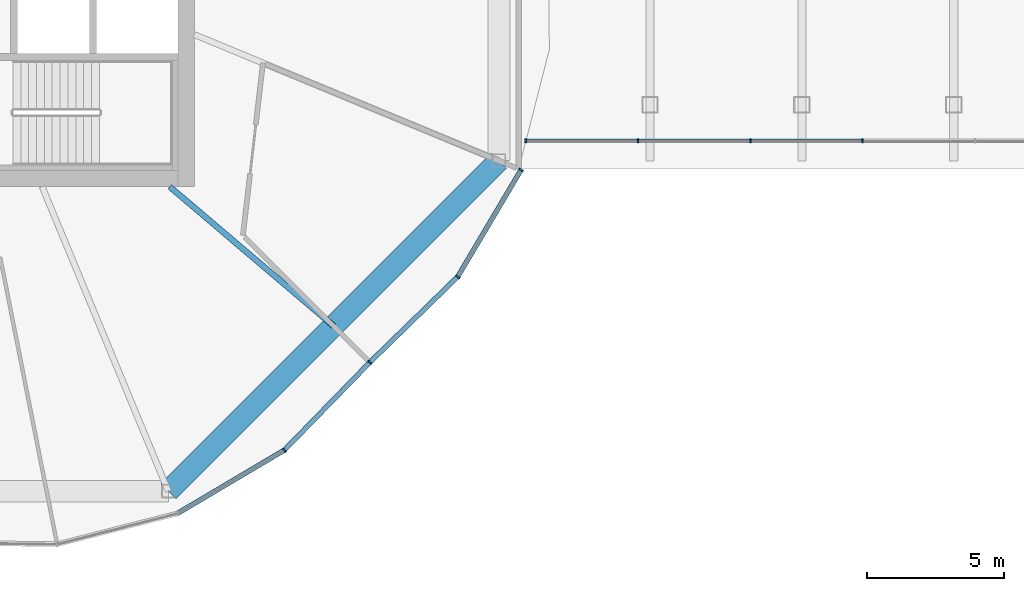
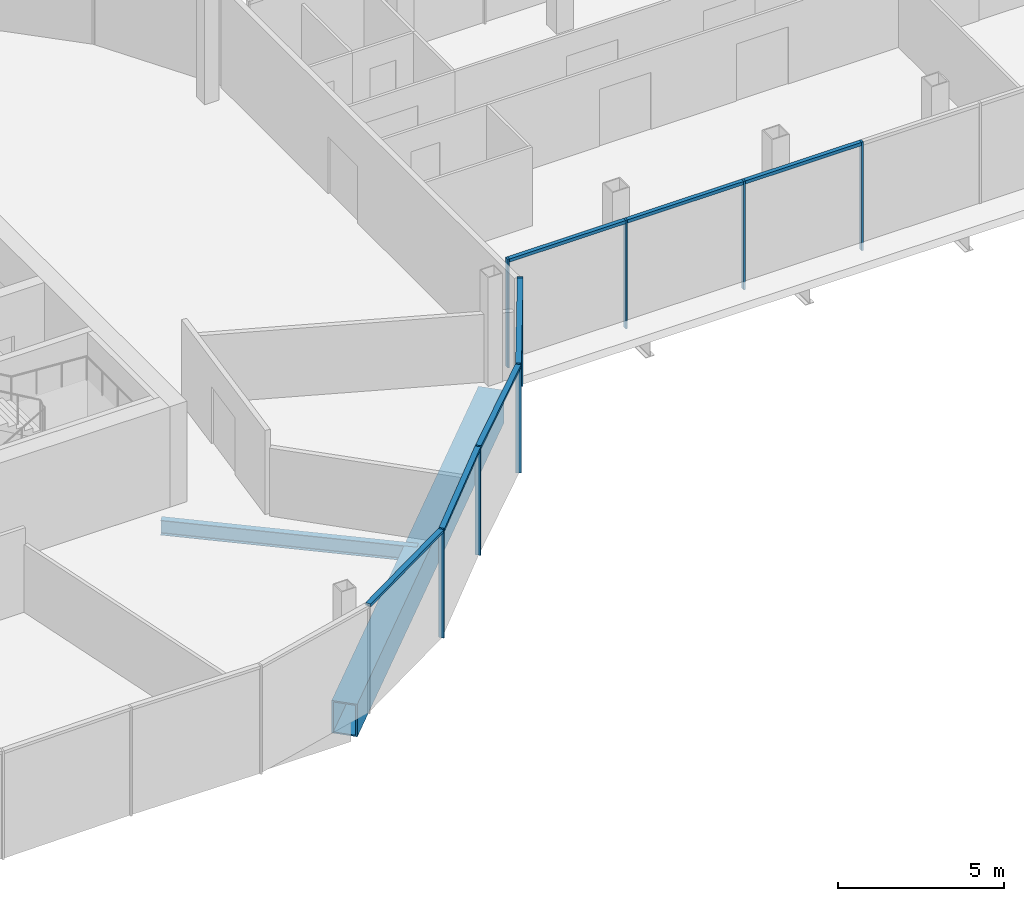
# One storey, part 5 of 25: 15 members, 2 beams, 3 elements without a shape of their own.
"""IFC4 building model written with IfcOpenShell, lengths in metres."""

from ifc_helpers import new_model, si_unit, direction, frame, origin, origin_2d, place, context, subcontext, project, spatial, rectangle, hollow_rectangle, i_section, extrude, material, material_profile, profile_set, type_object, element, aggregate, save


model = new_model("IFC4")

# Units and contexts
model_context = context("Model", 3, precision=1e-05, world=origin(), true_north=direction((0.0, 1.0)))
body_context = subcontext(model_context, "Body", "Model", "MODEL_VIEW")
ifc_project = project(units=[si_unit("LENGTHUNIT", "METRE"), si_unit("AREAUNIT", "SQUARE_METRE"), si_unit("VOLUMEUNIT", "CUBIC_METRE"), si_unit("PLANEANGLEUNIT", "RADIAN"), si_unit("MASSUNIT", "GRAM", prefix="KILO")], contexts=[model_context])

# Site, building, storey
site_placement = place(None, origin())
site = spatial("IfcSite", under=ifc_project, at=site_placement, CompositionType="ELEMENT")
building_placement = place(site_placement, origin())
building = spatial("IfcBuilding", under=site, at=building_placement, Name="Ogive Gate Towers", CompositionType="ELEMENT")
storey_placement = place(building_placement, frame((0.0, 0.0, 152.800048828125)))
storey = spatial("IfcBuildingStorey", under=building, at=storey_placement, Name="L36", CompositionType="ELEMENT", Elevation=152.800048828125)

# Beam
ifc_material_1 = material(Name="Steel SM460", Category="steel")
ifc_material_profile_1 = material_profile(ifc_material_1, hollow_rectangle(XDim=0.800048828125, YDim=1.199951171875, WallThickness=0.050048828125, at=origin_2d()), Name="BX 1200x800x50")
ifc_profile_set_1 = profile_set([ifc_material_profile_1], Name="Steel SM460")
beam_type_1 = type_object("IfcBeamType", Name="Edge girder BX 1200x800x50", PredefinedType="BEAM", material=ifc_profile_set_1)
beam_1_placement = place(storey_placement, frame((-27.450927734375, -20.639404296875, -0.900146484375), z_axis=(0.707106781187, 0.707106781187, 0.0), x_axis=(-0.707106781187, 0.707106781187, 0.0)))
element("IfcBeam", 1, at=beam_1_placement, inside=storey, type_object=beam_type_1, Name="T1/L36/SBM019", PredefinedType="BEAM", context=body_context, shape_type="SweptSolid", body=[
    extrude(hollow_rectangle(XDim=0.800048828125, YDim=1.199951171875, WallThickness=0.050048828125, at=origin_2d()), origin(), (0.0, 0.0, 1.0), 17.098388671875),
])

# Curtain wall, members
ifc_material_2 = material(Name="Pale metal aluminium", Category="aluminium")
curtain_wall_type_1 = type_object("IfcCurtainWallType", Name="Gate block facade", PredefinedType="NOTDEFINED", material=ifc_material_2)
curtain_wall_1_placement = place(storey_placement, origin())
curtain_wall_1 = element("IfcCurtainWall", 2, at=curtain_wall_1_placement, inside=storey, type_object=curtain_wall_type_1, Name="CW3 BR ECW01", PredefinedType="NOTDEFINED")
ifc_material_profile_2 = material_profile(ifc_material_2, rectangle(XDim=0.139892578125, YDim=0.06005859375, at=origin_2d()), Name="60 x 140 aluminium box")
ifc_profile_set_2 = profile_set([ifc_material_profile_2], Name="Pale metal aluminium")
member_type_1 = type_object("IfcMemberType", Name="Gate block facade mullion 60 x 140", PredefinedType="MULLION", material=ifc_profile_set_2)
member_1_placement = place(storey_placement, frame((-14.374755859375, -7.821533203125, -0.300048828125), z_axis=(0.0, 0.0, 1.0), x_axis=(0.0, -1.0, 0.0)))
member_1 = element("IfcMember", 3, at=member_1_placement, type_object=member_type_1, Name="CW3 mullion", PredefinedType="MULLION", context=body_context, shape_type="SweptSolid", body=[
    extrude(rectangle(XDim=0.139892578125, YDim=0.06005859375, at=origin_2d()), origin(), (0.0, 0.0, 1.0), 4.0),
])
member_2_placement = place(storey_placement, frame((-10.267578125, -7.821533203125, -0.300048828125), z_axis=(0.0, 0.0, 1.0), x_axis=(0.0, -1.0, 0.0)))
member_2 = element("IfcMember", 4, at=member_2_placement, type_object=member_type_1, Name="CW3 mullion", PredefinedType="MULLION", context=body_context, shape_type="SweptSolid", body=[
    extrude(rectangle(XDim=0.139892578125, YDim=0.06005859375, at=origin_2d()), origin(), (0.0, 0.0, 1.0), 4.0),
])
member_3_placement = place(storey_placement, frame((-6.16064453125, -7.821533203125, -0.300048828125), z_axis=(0.0, 0.0, 1.0), x_axis=(0.0, -1.0, 0.0)))
member_3 = element("IfcMember", 5, at=member_3_placement, type_object=member_type_1, Name="CW3 mullion", PredefinedType="MULLION", context=body_context, shape_type="SweptSolid", body=[
    extrude(rectangle(XDim=0.139892578125, YDim=0.06005859375, at=origin_2d()), origin(), (0.0, 0.0, 1.0), 4.0),
])
member_4_placement = place(storey_placement, frame((-2.053466796875, -7.821533203125, -0.300048828125), z_axis=(0.0, 0.0, 1.0), x_axis=(0.0, -1.0, 0.0)))
member_4 = element("IfcMember", 6, at=member_4_placement, type_object=member_type_1, Name="CW3 mullion", PredefinedType="MULLION", context=body_context, shape_type="SweptSolid", body=[
    extrude(rectangle(XDim=0.139892578125, YDim=0.06005859375, at=origin_2d()), origin(), (0.0, 0.0, 1.0), 4.0),
])
ifc_material_profile_3 = material_profile(ifc_material_2, rectangle(XDim=0.139892578125, YDim=0.1201171875, at=origin_2d()), Name="120 x 140 aluminium box")
ifc_profile_set_3 = profile_set([ifc_material_profile_3], Name="Pale metal aluminium")
member_type_2 = type_object("IfcMemberType", Name="Gate block facade transom 120 x 140", PredefinedType="USERDEFINED", material=ifc_profile_set_3)
member_5_placement = place(storey_placement, frame((-14.3447265625, -7.821533203125, 3.639892578125), z_axis=(1.0, 0.0, 0.0), x_axis=(0.0, 1.0, 0.0)))
member_5 = element("IfcMember", 7, at=member_5_placement, type_object=member_type_2, Name="CW3 transom", ObjectType="TRANSOM", PredefinedType="USERDEFINED", context=body_context, shape_type="SweptSolid", body=[
    extrude(rectangle(XDim=0.139892578125, YDim=0.1201171875, at=origin_2d()), origin(), (0.0, 0.0, 1.0), 4.047119140625),
])
member_6_placement = place(storey_placement, frame((-10.23779296875, -7.821533203125, 3.639892578125), z_axis=(1.0, 0.0, 0.0), x_axis=(0.0, 1.0, 0.0)))
member_6 = element("IfcMember", 8, at=member_6_placement, type_object=member_type_2, Name="CW3 transom", ObjectType="TRANSOM", PredefinedType="USERDEFINED", context=body_context, shape_type="SweptSolid", body=[
    extrude(rectangle(XDim=0.139892578125, YDim=0.1201171875, at=origin_2d()), origin(), (0.0, 0.0, 1.0), 4.047119140625),
])
member_7_placement = place(storey_placement, frame((-6.130615234375, -7.821533203125, 3.639892578125), z_axis=(1.0, 0.0, 0.0), x_axis=(0.0, 1.0, 0.0)))
member_7 = element("IfcMember", 9, at=member_7_placement, type_object=member_type_2, Name="CW3 transom", ObjectType="TRANSOM", PredefinedType="USERDEFINED", context=body_context, shape_type="SweptSolid", body=[
    extrude(rectangle(XDim=0.139892578125, YDim=0.1201171875, at=origin_2d()), origin(), (0.0, 0.0, 1.0), 4.047119140625),
])
aggregate(curtain_wall_1, [member_1, member_2, member_5, member_3, member_6, member_4, member_7])

# Beam
ifc_material_3 = material(Name="Steel SM355", Category="steel")
ifc_material_profile_4 = material_profile(ifc_material_3, i_section(OverallWidth=0.2099609375, OverallDepth=0.550048828125, WebThickness=0.010986328125, FlangeThickness=0.01708984375, FilletRadius=0.02392578125, at=origin_2d()), Name="IPE 550")
ifc_profile_set_4 = profile_set([ifc_material_profile_4], Name="Steel SM355")
beam_type_2 = type_object("IfcBeamType", Name="Radial floor beam IPE 550", PredefinedType="BEAM", material=ifc_profile_set_4)
beam_2_placement = place(storey_placement, frame((-27.39990234375, -9.5, -0.574951171875), z_axis=(0.761988324045, -0.647590761222, 0.0), x_axis=(0.647590761222, 0.761988324045, 0.0)))
element("IfcBeam", 10, at=beam_2_placement, inside=storey, type_object=beam_type_2, Name="T1/L36/SBM006", PredefinedType="BEAM", context=body_context, shape_type="SweptSolid", body=[
    extrude(i_section(OverallWidth=0.2099609375, OverallDepth=0.550048828125, WebThickness=0.010986328125, FlangeThickness=0.01708984375, FilletRadius=0.02392578125, at=origin_2d()), origin(), (0.0, 0.0, 1.0), 7.866455078125),
])

# Curtain wall, members
curtain_wall_type_2 = type_object("IfcCurtainWallType", Name="Tower unitised wall, high zone", PredefinedType="NOTDEFINED", material=ifc_material_2)
curtain_wall_2_placement = place(storey_placement, origin())
curtain_wall_2 = element("IfcCurtainWall", 11, at=curtain_wall_2_placement, inside=storey, type_object=curtain_wall_type_2, Name="CW2 T1 ECW07", PredefinedType="NOTDEFINED")
ifc_material_profile_5 = material_profile(ifc_material_2, rectangle(XDim=0.179931640625, YDim=0.06005859375, at=origin_2d()), Name="60 x 180 aluminium box")
ifc_profile_set_5 = profile_set([ifc_material_profile_5], Name="Pale metal aluminium")
member_type_3 = type_object("IfcMemberType", Name="Tower unitised wall, high zone mullion 60 x 180", PredefinedType="MULLION", material=ifc_profile_set_5)
member_8_placement = place(storey_placement, frame((-23.20458984375, -19.136962890625, -0.300048828125), z_axis=(0.0, 0.0, 1.0), x_axis=(0.618476971954, -0.78580292387, 0.0)))
member_8 = element("IfcMember", 12, at=member_8_placement, type_object=member_type_3, Name="CW2 mullion", PredefinedType="MULLION", context=body_context, shape_type="SweptSolid", body=[
    extrude(rectangle(XDim=0.179931640625, YDim=0.06005859375, at=origin_2d()), origin(), (0.0, 0.0, 1.0), 4.0),
])
member_9_placement = place(storey_placement, frame((-20.076171875, -15.924072265625, -0.300048828125), z_axis=(0.0, 0.0, 1.0), x_axis=(0.716435896374, -0.697652926882, 0.0)))
member_9 = element("IfcMember", 13, at=member_9_placement, type_object=member_type_3, Name="CW2 mullion", PredefinedType="MULLION", context=body_context, shape_type="SweptSolid", body=[
    extrude(rectangle(XDim=0.179931640625, YDim=0.06005859375, at=origin_2d()), origin(), (0.0, 0.0, 1.0), 4.0),
])

curtain_wall_3_placement = place(storey_placement, origin())
curtain_wall_3 = element("IfcCurtainWall", 14, at=curtain_wall_3_placement, inside=storey, type_object=curtain_wall_type_2, Name="CW2 T1 ECW08", PredefinedType="NOTDEFINED")
member_10_placement = place(storey_placement, frame((-16.863037109375, -12.79541015625, -0.300048828125), z_axis=(0.0, 0.0, 1.0), x_axis=(0.78580292387, -0.618476971954, 0.0)))
member_10 = element("IfcMember", 15, at=member_10_placement, type_object=member_type_3, Name="CW2 mullion", PredefinedType="MULLION", context=body_context, shape_type="SweptSolid", body=[
    extrude(rectangle(XDim=0.179931640625, YDim=0.06005859375, at=origin_2d()), origin(), (0.0, 0.0, 1.0), 4.0),
])
member_11_placement = place(storey_placement, frame((-14.5458984375, -8.885009765625, -0.300048828125), z_axis=(0.0, 0.0, 1.0), x_axis=(0.860306374302, -0.509777345844, 0.0)))
member_11 = element("IfcMember", 16, at=member_11_placement, type_object=member_type_3, Name="CW2 mullion", PredefinedType="MULLION", context=body_context, shape_type="SweptSolid", body=[
    extrude(rectangle(XDim=0.179931640625, YDim=0.06005859375, at=origin_2d()), origin(), (0.0, 0.0, 1.0), 4.0),
])

# Member
ifc_material_profile_6 = material_profile(ifc_material_2, rectangle(XDim=0.179931640625, YDim=0.10009765625, at=origin_2d()), Name="100 x 180 aluminium box")
ifc_profile_set_6 = profile_set([ifc_material_profile_6], Name="Pale metal aluminium")
member_type_4 = type_object("IfcMemberType", Name="Tower unitised wall, high zone transom 100 x 180", PredefinedType="USERDEFINED", material=ifc_profile_set_6)
member_12_placement = place(storey_placement, frame((-27.089111328125, -21.438720703125, 3.64990234375), z_axis=(0.860312746739, 0.509766591489, 0.0), x_axis=(-0.509766591489, 0.860312746739, 0.0)))
member_12 = element("IfcMember", 17, at=member_12_placement, type_object=member_type_4, Name="CW2 transom", ObjectType="TRANSOM", PredefinedType="USERDEFINED", context=body_context, shape_type="SweptSolid", body=[
    extrude(rectangle(XDim=0.179931640625, YDim=0.10009765625, at=origin_2d()), origin(), (0.0, 0.0, 1.0), 4.486572265625),
])

member_13_placement = place(storey_placement, frame((-23.1845703125, -19.116455078125, 3.64990234375), z_axis=(0.697639038006, 0.71644942086, 0.0), x_axis=(-0.71644942086, 0.697639038006, 0.0)))
member_13 = element("IfcMember", 18, at=member_13_placement, type_object=member_type_4, Name="CW2 transom", ObjectType="TRANSOM", PredefinedType="USERDEFINED", context=body_context, shape_type="SweptSolid", body=[
    extrude(rectangle(XDim=0.179931640625, YDim=0.10009765625, at=origin_2d()), origin(), (0.0, 0.0, 1.0), 4.42578125),
])

aggregate(curtain_wall_2, [member_8, member_12, member_9, member_13])

member_14_placement = place(storey_placement, frame((-20.054443359375, -15.903076171875, 3.64990234375), z_axis=(0.71644942086, 0.697639038006, 0.0), x_axis=(-0.697639038006, 0.71644942086, 0.0)))
member_14 = element("IfcMember", 19, at=member_14_placement, type_object=member_type_4, Name="CW2 transom", ObjectType="TRANSOM", PredefinedType="USERDEFINED", context=body_context, shape_type="SweptSolid", body=[
    extrude(rectangle(XDim=0.179931640625, YDim=0.10009765625, at=origin_2d()), origin(), (0.0, 0.0, 1.0), 4.42578125),
])

member_15_placement = place(storey_placement, frame((-16.848388671875, -12.770751953125, 3.64990234375), z_axis=(0.509766591489, 0.860312746739, 0.0), x_axis=(-0.860312746739, 0.509766591489, 0.0)))
member_15 = element("IfcMember", 20, at=member_15_placement, type_object=member_type_4, Name="CW2 transom", ObjectType="TRANSOM", PredefinedType="USERDEFINED", context=body_context, shape_type="SweptSolid", body=[
    extrude(rectangle(XDim=0.179931640625, YDim=0.10009765625, at=origin_2d()), origin(), (0.0, 0.0, 1.0), 4.486572265625),
])

aggregate(curtain_wall_3, [member_10, member_14, member_11, member_15])

save(model, "model.ifc")
